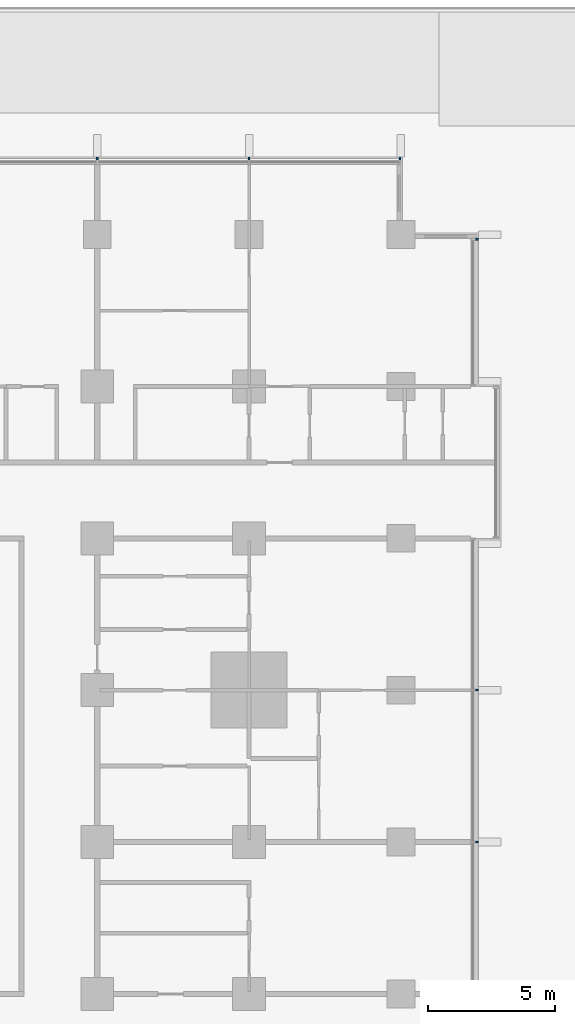
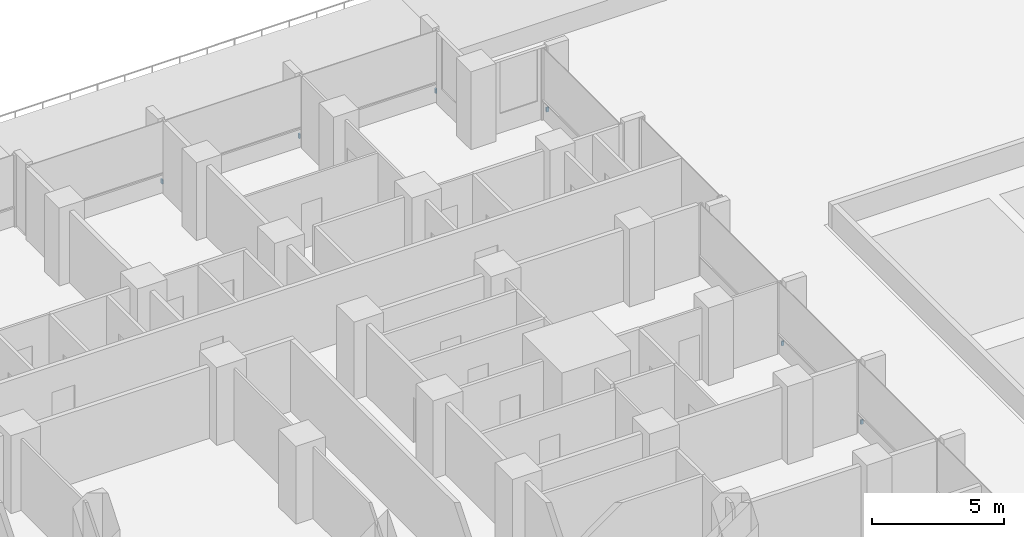
# One storey, part 22 of 25: 6 discrete accessories.
"""IFC4 building model written with IfcOpenShell, lengths in metres."""

from ifc_helpers import new_model, si_unit, direction, frame, origin, origin_2d, place, context, subcontext, project, spatial, rectangle, extrude, material, type_object, element, save


model = new_model("IFC4")

# Units and contexts
model_context = context("Model", 3, precision=1e-05, world=origin(), true_north=direction((0.0, 1.0)))
body_context = subcontext(model_context, "Body", "Model", "MODEL_VIEW")
ifc_project = project(units=[si_unit("LENGTHUNIT", "METRE"), si_unit("AREAUNIT", "SQUARE_METRE"), si_unit("VOLUMEUNIT", "CUBIC_METRE"), si_unit("PLANEANGLEUNIT", "RADIAN"), si_unit("MASSUNIT", "GRAM", prefix="KILO")], contexts=[model_context])

# Site, building, storey
site_placement = place(None, origin())
site = spatial("IfcSite", under=ifc_project, at=site_placement, CompositionType="ELEMENT")
building_placement = place(site_placement, origin())
building = spatial("IfcBuilding", under=site, at=building_placement, Name="Finial Court Residences", CompositionType="ELEMENT")
storey_placement = place(building_placement, frame((0.0, 0.0, 32.5)))
storey = spatial("IfcBuildingStorey", under=building, at=storey_placement, Name="L06", CompositionType="ELEMENT", Elevation=32.5)

# Discrete accessories
ifc_material = material(Name="Stainless steel 316", Category="steel")
discrete_accessory_type = type_object("IfcDiscreteAccessoryType", Name="Fin bracket, stainless steel 65 x 110 x 200", PredefinedType="BRACKET", material=ifc_material)
for number, where, z_axis, x_axis, name in (
    (1, (10.5, 28.5048828125, 0.2998046875), (0.0, 0.0, 1.0), (1.0, 0.0, 0.0), "E-L06-FIN-N6-BRK"),
    (2, (16.5, 28.5048828125, 0.2998046875), (0.0, 0.0, 1.0), (1.0, 0.0, 0.0), "E-L06-FIN-N7-BRK"),
    (3, (22.467529296875, 28.5048828125, 0.2998046875), (0.0, 0.0, 1.0), (1.0, 0.0, 0.0), "E-L06-FIN-N8-BRK"),
):
    element("IfcDiscreteAccessory", number, at=place(storey_placement, frame(where, z_axis=z_axis, x_axis=x_axis)), inside=storey, type_object=discrete_accessory_type, Name=name, PredefinedType="BRACKET", context=body_context, shape_type="SweptSolid", body=[
        extrude(rectangle(XDim=0.06494140625, YDim=0.110107421875, at=origin_2d()), origin(), (0.0, 0.0, 1.0), 0.199951171875),
    ])
for number, where, z_axis, x_axis, name in (
    (4, (25.5048828125, 1.5, 0.2998046875), (0.0, 0.0, 1.0), (1.0, 0.0, 0.0), "E-L06-FIN-E12-BRK"),
    (5, (25.5048828125, 7.5, 0.2998046875), (0.0, 0.0, 1.0), (1.0, 0.0, 0.0), "E-L06-FIN-E13-BRK"),
    (6, (25.5048828125, 25.3173828125, 0.2998046875), (0.0, 0.0, 1.0), (1.0, 0.0, 0.0), "E-L06-FIN-E16-BRK"),
):
    element("IfcDiscreteAccessory", number, at=place(storey_placement, frame(where, z_axis=z_axis, x_axis=x_axis)), inside=storey, type_object=discrete_accessory_type, Name=name, PredefinedType="BRACKET", context=body_context, shape_type="SweptSolid", body=[
        extrude(rectangle(XDim=0.110107421875, YDim=0.06494140625, at=origin_2d()), origin(), (0.0, 0.0, 1.0), 0.199951171875),
    ])

save(model, "model.ifc")
